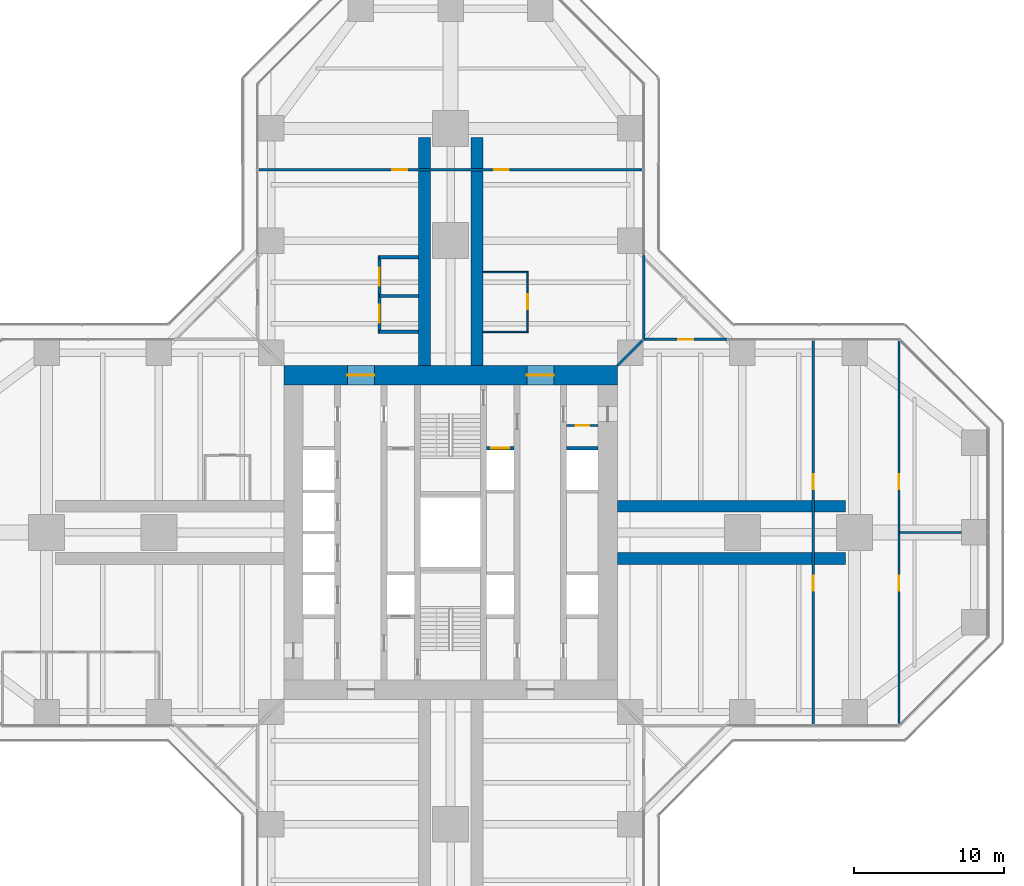
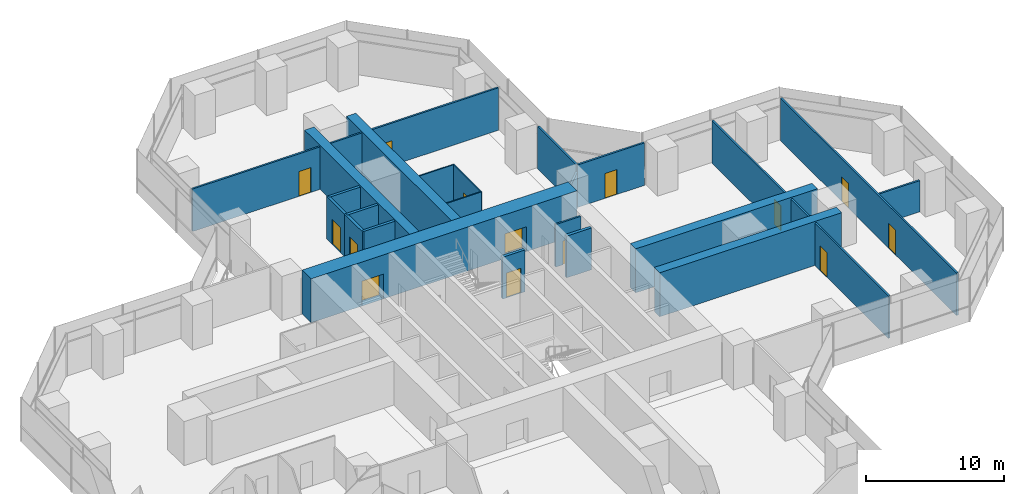
# One storey, part 19 of 22: 23 walls, 14 doors, 14 openings.
"""IFC4 building model written with IfcOpenShell, lengths in metres."""

from ifc_helpers import new_model, si_unit, direction, frame, frame_2d, origin, place, context, subcontext, project, spatial, rectangle, extrude, material, layer, layer_set, type_object, element, fill, save


model = new_model("IFC4")

# Units and contexts
model_context = context("Model", 3, precision=1e-05, world=origin(), true_north=direction((0.0, 1.0)))
body_context = subcontext(model_context, "Body", "Model", "MODEL_VIEW")
ifc_project = project(units=[si_unit("LENGTHUNIT", "METRE"), si_unit("AREAUNIT", "SQUARE_METRE"), si_unit("VOLUMEUNIT", "CUBIC_METRE"), si_unit("PLANEANGLEUNIT", "RADIAN"), si_unit("MASSUNIT", "GRAM", prefix="KILO")], contexts=[model_context])

# Site, building, storey
site_placement = place(None, origin())
site = spatial("IfcSite", under=ifc_project, at=site_placement, CompositionType="ELEMENT")
building_placement = place(site_placement, origin())
building = spatial("IfcBuilding", under=site, at=building_placement, Name="Mizan Broadcast Tower", CompositionType="ELEMENT")
storey_placement = place(building_placement, frame((0.0, 0.0, 66.89990234375)))
storey = spatial("IfcBuildingStorey", under=building, at=storey_placement, Name="L13", CompositionType="ELEMENT", Elevation=66.89990234375)

# Wall, opening, door
ifc_material_1 = material(Name="Concrete blockwork", Category="masonry")
ifc_layer_1 = layer(ifc_material_1, 0.14990234375)
ifc_layer_set_1 = layer_set([ifc_layer_1], Name="Concrete blockwork")
wall_type_1 = type_object("IfcWallType", Name="CORE PARTITION 150", PredefinedType="SOLIDWALL", material=ifc_layer_set_1)
wall_1_placement = place(storey_placement, frame((9.85009765625, 7.14990234375, 0.0), z_axis=(0.0, 0.0, 1.0), x_axis=(-1.0, 0.0, 0.0)))
wall_1 = element("IfcWall", 1, at=wall_1_placement, inside=storey, type_object=wall_type_1, Name="Core partition CORE/XPE", PredefinedType="SOLIDWALL", context=body_context, shape_type="SweptSolid", body=[
    extrude(rectangle(XDim=2.10009765625, YDim=0.14990234375, at=frame_2d((1.050048828125, 0.0))), origin(), (0.0, 0.0, 1.0), 3.77001953125),
])
opening_1_placement = place(wall_1_placement, frame((0.60009765625, 0.0, 0.0)))
opening_1 = element("IfcOpeningElement", 2, at=opening_1_placement, cuts=wall_1, Name="Opening D09F", PredefinedType="OPENING", context=body_context, shape_type="SweptSolid", body=[
    extrude(rectangle(XDim=0.89990234375, YDim=2.10009765625, at=frame_2d((0.449951171875, 1.050048828125))), frame((0.0, 0.0849609375, 0.0), z_axis=(0.0, -1.0, 0.0), x_axis=(1.0, 0.0, 0.0)), (0.0, 0.0, 1.0), 0.169921875),
])
ifc_material_2 = material(Name="Steel door leaf in steel frame", Category="steel")
door_type_1 = type_object("IfcDoorType", Name="CORE ROOM DOOR 900 FD90", OperationType="SINGLE_SWING_LEFT", PredefinedType="DOOR", material=ifc_material_2)
door_1_placement = place(opening_1_placement, origin())
door_1 = element("IfcDoor", 3, at=door_1_placement, inside=storey, type_object=door_type_1, Name="Comms cupboard door", OperationType="SINGLE_SWING_RIGHT", OverallHeight=2.10009765625, OverallWidth=0.89990234375, PredefinedType="DOOR", context=body_context, shape_type="SweptSolid", body=[
    extrude(rectangle(XDim=0.89990234375, YDim=2.10009765625, at=frame_2d((0.449951171875, 1.050048828125))), frame((0.0, 0.02490234375, 0.0), z_axis=(0.0, -1.0, 0.0), x_axis=(1.0, 0.0, 0.0)), (0.0, 0.0, 1.0), 0.050048828125),
])
fill(opening_1, door_1)

# Wall, openings, doors
ifc_material_3 = material(Name="Concrete C70/85", Category="concrete")
ifc_layer_2 = layer(ifc_material_3, 1.300048828125)
ifc_layer_set_2 = layer_set([ifc_layer_2], Name="Concrete C70/85")
wall_type_2 = type_object("IfcWallType", Name="CORE WALL 1300", PredefinedType="SHEAR", material=ifc_layer_set_2)
wall_2_placement = place(storey_placement, frame((-11.14990234375, 10.5, 0.0), z_axis=(0.0, 0.0, 1.0), x_axis=(1.0, 0.0, 0.0)))
wall_2 = element("IfcWall", 4, at=wall_2_placement, inside=storey, type_object=wall_type_2, Name="Core wall N L13", PredefinedType="SHEAR", context=body_context, shape_type="SweptSolid", body=[
    extrude(rectangle(XDim=22.2998046875, YDim=1.300048828125, at=frame_2d((11.14990234375, 0.0))), origin(), (0.0, 0.0, 1.0), 3.900146484375),
])
opening_2_placement = place(wall_2_placement, frame((4.25, 0.0, 0.0)))
opening_2 = element("IfcOpeningElement", 5, at=opening_2_placement, cuts=wall_2, Name="Opening D18F", PredefinedType="OPENING", context=body_context, shape_type="SweptSolid", body=[
    extrude(rectangle(XDim=1.800048828125, YDim=2.199951171875, at=frame_2d((0.89990234375, 1.10009765625))), frame((0.0, 0.659912109375, 0.0), z_axis=(0.0, -1.0, 0.0), x_axis=(1.0, 0.0, 0.0)), (0.0, 0.0, 1.0), 1.320068359375),
])
opening_3_placement = place(wall_2_placement, frame((16.25, 0.0, 0.0)))
opening_3 = element("IfcOpeningElement", 6, at=opening_3_placement, cuts=wall_2, Name="Opening D18F", PredefinedType="OPENING", context=body_context, shape_type="SweptSolid", body=[
    extrude(rectangle(XDim=1.800048828125, YDim=2.199951171875, at=frame_2d((0.89990234375, 1.10009765625))), frame((0.0, 0.659912109375, 0.0), z_axis=(0.0, -1.0, 0.0), x_axis=(1.0, 0.0, 0.0)), (0.0, 0.0, 1.0), 1.320068359375),
])
ifc_material_4 = material(Name="Steel door leaf in steel frame", Category="steel")
door_type_2 = type_object("IfcDoorType", Name="LOBBY DOUBLE DOOR 1800 FD90", OperationType="DOUBLE_DOOR_DOUBLE_SWING", PredefinedType="DOOR", material=ifc_material_4)
door_2_placement = place(opening_2_placement, origin())
door_2 = element("IfcDoor", 7, at=door_2_placement, inside=storey, type_object=door_type_2, Name="West lift lobby north door", OperationType="DOUBLE_DOOR_DOUBLE_SWING", OverallHeight=2.199951171875, OverallWidth=1.800048828125, PredefinedType="DOOR", context=body_context, shape_type="SweptSolid", body=[
    extrude(rectangle(XDim=1.800048828125, YDim=2.199951171875, at=frame_2d((0.89990234375, 1.10009765625))), frame((0.0, 0.02490234375, 0.0), z_axis=(0.0, -1.0, 0.0), x_axis=(1.0, 0.0, 0.0)), (0.0, 0.0, 1.0), 0.050048828125),
])
fill(opening_2, door_2)
door_3_placement = place(opening_3_placement, origin())
door_3 = element("IfcDoor", 8, at=door_3_placement, inside=storey, type_object=door_type_2, Name="East lift lobby north door", OperationType="DOUBLE_DOOR_DOUBLE_SWING", OverallHeight=2.199951171875, OverallWidth=1.800048828125, PredefinedType="DOOR", context=body_context, shape_type="SweptSolid", body=[
    extrude(rectangle(XDim=1.800048828125, YDim=2.199951171875, at=frame_2d((0.89990234375, 1.10009765625))), frame((0.0, 0.02490234375, 0.0), z_axis=(0.0, -1.0, 0.0), x_axis=(1.0, 0.0, 0.0)), (0.0, 0.0, 1.0), 0.050048828125),
])
fill(opening_3, door_3)

# Wall, opening, door
ifc_material_5 = material(Name="Aluminium framed glazed screen", Category="aluminium")
ifc_layer_3 = layer(ifc_material_5, 0.159912109375)
ifc_layer_set_3 = layer_set([ifc_layer_3], Name="Aluminium framed glazed screen")
wall_type_3 = type_object("IfcWallType", Name="GLAZED SCREEN WALL 160", PredefinedType="SOLIDWALL", material=ifc_layer_set_3)
wall_3_placement = place(storey_placement, frame((18.5, 12.89990234375, 0.0), z_axis=(0.0, 0.0, 1.0), x_axis=(-1.0, 0.0, 0.0)))
wall_3 = element("IfcWall", 9, at=wall_3_placement, inside=storey, type_object=wall_type_3, Name="Winter garden screen L13 E", PredefinedType="SOLIDWALL", context=body_context, shape_type="SweptSolid", body=[
    extrude(rectangle(XDim=5.60009765625, YDim=0.159912109375, at=frame_2d((2.800048828125, 0.0))), origin(), (0.0, 0.0, 1.0), 3.77001953125),
])
opening_4_placement = place(wall_3_placement, frame((2.300048828125, 0.0, 0.0)))
opening_4 = element("IfcOpeningElement", 10, at=opening_4_placement, cuts=wall_3, Name="Opening WGD", PredefinedType="OPENING", context=body_context, shape_type="SweptSolid", body=[
    extrude(rectangle(XDim=1.0, YDim=2.199951171875, at=frame_2d((0.5, 1.10009765625))), frame((0.0, 0.08984375, 0.0), z_axis=(0.0, -1.0, 0.0), x_axis=(1.0, 0.0, 0.0)), (0.0, 0.0, 1.0), 0.179931640625),
])
ifc_material_6 = material(Name="Aluminium framed glazed door", Category="aluminium")
door_type_3 = type_object("IfcDoorType", Name="WINTER GARDEN DOOR 1000 GLAZED", OperationType="SINGLE_SWING_LEFT", PredefinedType="DOOR", material=ifc_material_6)
door_4_placement = place(opening_4_placement, origin())
door_4 = element("IfcDoor", 11, at=door_4_placement, inside=storey, type_object=door_type_3, Name="Winter garden door L13 E", OperationType="SINGLE_SWING_RIGHT", OverallHeight=2.199951171875, OverallWidth=1.0, PredefinedType="DOOR", context=body_context, shape_type="SweptSolid", body=[
    extrude(rectangle(XDim=1.0, YDim=2.199951171875, at=frame_2d((0.5, 1.10009765625))), frame((0.0, 0.02490234375, 0.0), z_axis=(0.0, -1.0, 0.0), x_axis=(1.0, 0.0, 0.0)), (0.0, 0.0, 1.0), 0.050048828125),
])
fill(opening_4, door_4)

# Wall
wall_4_placement = place(storey_placement, frame((12.89990234375, 12.89990234375, 0.0), z_axis=(0.0, 0.0, 1.0), x_axis=(0.0, 1.0, 0.0)))
element("IfcWall", 12, at=wall_4_placement, inside=storey, type_object=wall_type_3, Name="Winter garden screen L13 N", PredefinedType="SOLIDWALL", context=body_context, shape_type="SweptSolid", body=[
    extrude(rectangle(XDim=5.60009765625, YDim=0.159912109375, at=frame_2d((2.800048828125, 0.0))), origin(), (0.0, 0.0, 1.0), 3.77001953125),
])

# Wall, opening, door
ifc_material_7 = material(Name="Concrete blockwork", Category="masonry")
ifc_layer_4 = layer(ifc_material_7, 0.25)
ifc_layer_set_4 = layer_set([ifc_layer_4], Name="Concrete blockwork")
wall_type_4 = type_object("IfcWallType", Name="LOBBY ENCLOSURE WALL 250", PredefinedType="SOLIDWALL", material=ifc_layer_set_4)
wall_5_placement = place(storey_placement, frame((2.39990234375, 5.625, 0.0), z_axis=(0.0, 0.0, 1.0), x_axis=(1.0, 0.0, 0.0)))
wall_5 = element("IfcWall", 13, at=wall_5_placement, inside=storey, type_object=wall_type_4, Name="Lobby enclosure wall CORE/BE2N", PredefinedType="SOLIDWALL", context=body_context, shape_type="SweptSolid", body=[
    extrude(rectangle(XDim=1.85009765625, YDim=0.25, at=frame_2d((0.925048828125, 0.0))), origin(), (0.0, 0.0, 1.0), 3.7001953125),
])
opening_5_placement = place(wall_5_placement, frame((0.324951171875, 0.0, 0.0)))
opening_5 = element("IfcOpeningElement", 14, at=opening_5_placement, cuts=wall_5, Name="Opening LDF", PredefinedType="OPENING", context=body_context, shape_type="SweptSolid", body=[
    extrude(rectangle(XDim=1.199951171875, YDim=2.199951171875, at=frame_2d((0.60009765625, 1.10009765625))), frame((0.0, 0.135009765625, 0.0), z_axis=(0.0, -1.0, 0.0), x_axis=(1.0, 0.0, 0.0)), (0.0, 0.0, 1.0), 0.27001953125),
])
ifc_material_8 = material(Name="Steel door leaf in steel frame", Category="steel")
door_type_4 = type_object("IfcDoorType", Name="FIREFIGHTING LIFT LANDING DOOR 1200", OperationType="SLIDING_TO_LEFT", PredefinedType="DOOR", material=ifc_material_8)
door_5_placement = place(opening_5_placement, origin())
door_5 = element("IfcDoor", 15, at=door_5_placement, inside=storey, type_object=door_type_4, Name="Landing door FF2", OperationType="SLIDING_TO_LEFT", OverallHeight=2.199951171875, OverallWidth=1.199951171875, PredefinedType="DOOR", context=body_context, shape_type="SweptSolid", body=[
    extrude(rectangle(XDim=1.199951171875, YDim=2.199951171875, at=frame_2d((0.60009765625, 1.10009765625))), frame((0.0, 0.02490234375, 0.0), z_axis=(0.0, -1.0, 0.0), x_axis=(1.0, 0.0, 0.0)), (0.0, 0.0, 1.0), 0.050048828125),
])
fill(opening_5, door_5)

# Wall
wall_6_placement = place(storey_placement, frame((7.75, 5.625, 0.0), z_axis=(0.0, 0.0, 1.0), x_axis=(1.0, 0.0, 0.0)))
element("IfcWall", 16, at=wall_6_placement, inside=storey, type_object=wall_type_4, Name="Lobby enclosure wall CORE/BE1N", PredefinedType="SOLIDWALL", context=body_context, shape_type="SweptSolid", body=[
    extrude(rectangle(XDim=2.10009765625, YDim=0.25, at=frame_2d((1.050048828125, 0.0))), origin(), (0.0, 0.0, 1.0), 3.7001953125),
])

# Wall, openings, doors
ifc_material_9 = material(Name="Gypsum board on steel studs", Category="steel")
ifc_layer_5 = layer(ifc_material_9, 0.14990234375)
ifc_layer_set_5 = layer_set([ifc_layer_5], Name="Gypsum board on steel studs")
wall_type_5 = type_object("IfcWallType", Name="PARTITION 150", PredefinedType="PARTITIONING", material=ifc_layer_set_5)
wall_7_placement = place(storey_placement, frame((24.22900390625, -12.820068359375, 0.0), z_axis=(0.0, 0.0, 1.0), x_axis=(0.0, 1.0, 0.0)))
wall_7 = element("IfcWall", 17, at=wall_7_placement, inside=storey, type_object=wall_type_5, Name="Partition PT/EX1", PredefinedType="PARTITIONING", context=body_context, shape_type="SweptSolid", body=[
    extrude(rectangle(XDim=25.64013671875, YDim=0.14990234375, at=frame_2d((12.820068359375, 0.0))), origin(), (0.0, 0.0, 1.0), 3.77001953125),
])
opening_6_placement = place(wall_7_placement, frame((15.719970703125, 0.0, 0.0)))
opening_6 = element("IfcOpeningElement", 18, at=opening_6_placement, cuts=wall_7, Name="Opening D10", PredefinedType="OPENING", context=body_context, shape_type="SweptSolid", body=[
    extrude(rectangle(XDim=1.0, YDim=2.199951171875, at=frame_2d((0.5, 1.10009765625))), frame((0.0, 0.0849609375, 0.0), z_axis=(0.0, -1.0, 0.0), x_axis=(1.0, 0.0, 0.0)), (0.0, 0.0, 1.0), 0.169921875),
])
opening_7_placement = place(wall_7_placement, frame((8.919921875, 0.0, 0.0)))
opening_7 = element("IfcOpeningElement", 19, at=opening_7_placement, cuts=wall_7, Name="Opening D10", PredefinedType="OPENING", context=body_context, shape_type="SweptSolid", body=[
    extrude(rectangle(XDim=1.0, YDim=2.199951171875, at=frame_2d((0.5, 1.10009765625))), frame((0.0, 0.0849609375, 0.0), z_axis=(0.0, -1.0, 0.0), x_axis=(1.0, 0.0, 0.0)), (0.0, 0.0, 1.0), 0.169921875),
])
ifc_material_10 = material(Name="Timber door leaf in aluminium frame", Category="wood")
door_type_5 = type_object("IfcDoorType", Name="ROOM DOOR 1000", OperationType="SINGLE_SWING_LEFT", PredefinedType="DOOR", material=ifc_material_10)
door_6_placement = place(opening_6_placement, origin())
door_6 = element("IfcDoor", 20, at=door_6_placement, inside=storey, type_object=door_type_5, Name="Open office door", OperationType="SINGLE_SWING_RIGHT", OverallHeight=2.199951171875, OverallWidth=1.0, PredefinedType="DOOR", context=body_context, shape_type="SweptSolid", body=[
    extrude(rectangle(XDim=1.0, YDim=2.199951171875, at=frame_2d((0.5, 1.10009765625))), frame((0.0, 0.02490234375, 0.0), z_axis=(0.0, -1.0, 0.0), x_axis=(1.0, 0.0, 0.0)), (0.0, 0.0, 1.0), 0.050048828125),
])
fill(opening_6, door_6)
door_7_placement = place(opening_7_placement, origin())
door_7 = element("IfcDoor", 21, at=door_7_placement, inside=storey, type_object=door_type_5, Name="Open office door", OperationType="SINGLE_SWING_LEFT", OverallHeight=2.199951171875, OverallWidth=1.0, PredefinedType="DOOR", context=body_context, shape_type="SweptSolid", body=[
    extrude(rectangle(XDim=1.0, YDim=2.199951171875, at=frame_2d((0.5, 1.10009765625))), frame((0.0, 0.02490234375, 0.0), z_axis=(0.0, -1.0, 0.0), x_axis=(1.0, 0.0, 0.0)), (0.0, 0.0, 1.0), 0.050048828125),
])
fill(opening_7, door_7)

wall_8_placement = place(storey_placement, frame((29.958984375, -12.786376953125, 0.0), z_axis=(0.0, 0.0, 1.0), x_axis=(0.0, 1.0, 0.0)))
wall_8 = element("IfcWall", 22, at=wall_8_placement, inside=storey, type_object=wall_type_5, Name="Partition PT/EX2", PredefinedType="PARTITIONING", context=body_context, shape_type="SweptSolid", body=[
    extrude(rectangle(XDim=25.57275390625, YDim=0.14990234375, at=frame_2d((12.786376953125, 0.0))), origin(), (0.0, 0.0, 1.0), 3.77001953125),
])
opening_8_placement = place(wall_8_placement, frame((15.6865234375, 0.0, 0.0)))
opening_8 = element("IfcOpeningElement", 23, at=opening_8_placement, cuts=wall_8, Name="Opening D10", PredefinedType="OPENING", context=body_context, shape_type="SweptSolid", body=[
    extrude(rectangle(XDim=1.0, YDim=2.199951171875, at=frame_2d((0.5, 1.10009765625))), frame((0.0, 0.0849609375, 0.0), z_axis=(0.0, -1.0, 0.0), x_axis=(1.0, 0.0, 0.0)), (0.0, 0.0, 1.0), 0.169921875),
])
opening_9_placement = place(wall_8_placement, frame((8.886474609375, 0.0, 0.0)))
opening_9 = element("IfcOpeningElement", 24, at=opening_9_placement, cuts=wall_8, Name="Opening D10", PredefinedType="OPENING", context=body_context, shape_type="SweptSolid", body=[
    extrude(rectangle(XDim=1.0, YDim=2.199951171875, at=frame_2d((0.5, 1.10009765625))), frame((0.0, 0.0849609375, 0.0), z_axis=(0.0, -1.0, 0.0), x_axis=(1.0, 0.0, 0.0)), (0.0, 0.0, 1.0), 0.169921875),
])
door_8_placement = place(opening_8_placement, origin())
door_8 = element("IfcDoor", 25, at=door_8_placement, inside=storey, type_object=door_type_5, Name="Open office door", OperationType="SINGLE_SWING_RIGHT", OverallHeight=2.199951171875, OverallWidth=1.0, PredefinedType="DOOR", context=body_context, shape_type="SweptSolid", body=[
    extrude(rectangle(XDim=1.0, YDim=2.199951171875, at=frame_2d((0.5, 1.10009765625))), frame((0.0, 0.02490234375, 0.0), z_axis=(0.0, -1.0, 0.0), x_axis=(1.0, 0.0, 0.0)), (0.0, 0.0, 1.0), 0.050048828125),
])
fill(opening_8, door_8)
door_9_placement = place(opening_9_placement, origin())
door_9 = element("IfcDoor", 26, at=door_9_placement, inside=storey, type_object=door_type_5, Name="Open office door", OperationType="SINGLE_SWING_LEFT", OverallHeight=2.199951171875, OverallWidth=1.0, PredefinedType="DOOR", context=body_context, shape_type="SweptSolid", body=[
    extrude(rectangle(XDim=1.0, YDim=2.199951171875, at=frame_2d((0.5, 1.10009765625))), frame((0.0, 0.02490234375, 0.0), z_axis=(0.0, -1.0, 0.0), x_axis=(1.0, 0.0, 0.0)), (0.0, 0.0, 1.0), 0.050048828125),
])
fill(opening_9, door_9)

# Wall
wall_9_placement = place(storey_placement, frame((29.958984375, 0.0, 0.0), z_axis=(0.0, 0.0, 1.0), x_axis=(1.0, 0.0, 0.0)))
element("IfcWall", 27, at=wall_9_placement, inside=storey, type_object=wall_type_5, Name="Partition PT/EES", PredefinedType="PARTITIONING", context=body_context, shape_type="SweptSolid", body=[
    extrude(rectangle(XDim=4.19091796875, YDim=0.14990234375, at=frame_2d((2.095458984375, 0.0))), origin(), (0.0, 0.0, 1.0), 2.77001953125),
])

# Wall, openings, doors
wall_10_placement = place(storey_placement, frame((12.820068359375, 24.22900390625, 0.0), z_axis=(0.0, 0.0, 1.0), x_axis=(-1.0, 0.0, 0.0)))
wall_10 = element("IfcWall", 28, at=wall_10_placement, inside=storey, type_object=wall_type_5, Name="Partition PT/NX1", PredefinedType="PARTITIONING", context=body_context, shape_type="SweptSolid", body=[
    extrude(rectangle(XDim=25.64013671875, YDim=0.14990234375, at=frame_2d((12.820068359375, 0.0))), origin(), (0.0, 0.0, 1.0), 3.77001953125),
])
opening_10_placement = place(wall_10_placement, frame((15.719970703125, 0.0, 0.0)))
opening_10 = element("IfcOpeningElement", 29, at=opening_10_placement, cuts=wall_10, Name="Opening D10", PredefinedType="OPENING", context=body_context, shape_type="SweptSolid", body=[
    extrude(rectangle(XDim=1.0, YDim=2.199951171875, at=frame_2d((0.5, 1.10009765625))), frame((0.0, 0.0849609375, 0.0), z_axis=(0.0, -1.0, 0.0), x_axis=(1.0, 0.0, 0.0)), (0.0, 0.0, 1.0), 0.169921875),
])
opening_11_placement = place(wall_10_placement, frame((8.919921875, 0.0, 0.0)))
opening_11 = element("IfcOpeningElement", 30, at=opening_11_placement, cuts=wall_10, Name="Opening D10", PredefinedType="OPENING", context=body_context, shape_type="SweptSolid", body=[
    extrude(rectangle(XDim=1.0, YDim=2.199951171875, at=frame_2d((0.5, 1.10009765625))), frame((0.0, 0.0849609375, 0.0), z_axis=(0.0, -1.0, 0.0), x_axis=(1.0, 0.0, 0.0)), (0.0, 0.0, 1.0), 0.169921875),
])
door_10_placement = place(opening_10_placement, origin())
door_10 = element("IfcDoor", 31, at=door_10_placement, inside=storey, type_object=door_type_5, Name="Collaboration area door", OperationType="SINGLE_SWING_RIGHT", OverallHeight=2.199951171875, OverallWidth=1.0, PredefinedType="DOOR", context=body_context, shape_type="SweptSolid", body=[
    extrude(rectangle(XDim=1.0, YDim=2.199951171875, at=frame_2d((0.5, 1.10009765625))), frame((0.0, 0.02490234375, 0.0), z_axis=(0.0, -1.0, 0.0), x_axis=(1.0, 0.0, 0.0)), (0.0, 0.0, 1.0), 0.050048828125),
])
fill(opening_10, door_10)
door_11_placement = place(opening_11_placement, origin())
door_11 = element("IfcDoor", 32, at=door_11_placement, inside=storey, type_object=door_type_5, Name="Collaboration area door", OperationType="SINGLE_SWING_LEFT", OverallHeight=2.199951171875, OverallWidth=1.0, PredefinedType="DOOR", context=body_context, shape_type="SweptSolid", body=[
    extrude(rectangle(XDim=1.0, YDim=2.199951171875, at=frame_2d((0.5, 1.10009765625))), frame((0.0, 0.02490234375, 0.0), z_axis=(0.0, -1.0, 0.0), x_axis=(1.0, 0.0, 0.0)), (0.0, 0.0, 1.0), 0.050048828125),
])
fill(opening_11, door_11)

# Walls
wall_11_placement = place(storey_placement, frame((11.14990234375, 11.14990234375, 0.0), z_axis=(0.0, 0.0, 1.0), x_axis=(0.707106781187, 0.707106781187, 0.0)))
element("IfcWall", 33, at=wall_11_placement, inside=storey, type_object=wall_type_5, Name="Partition PT/DGEN", PredefinedType="PARTITIONING", context=body_context, shape_type="SweptSolid", body=[
    extrude(rectangle(XDim=2.362060546875, YDim=0.14990234375, at=frame_2d((1.18115234375, 0.0))), origin(), (0.0, 0.0, 1.0), 3.22021484375),
])
ifc_material_11 = material(Name="Twin steel stud acoustic partition, four layers of gypsum board", Category="steel")
ifc_layer_6 = layer(ifc_material_11, 0.22509765625)
ifc_layer_set_6 = layer_set([ifc_layer_6], Name="Twin steel stud acoustic partition, four layers of gypsum board")
wall_type_6 = type_object("IfcWallType", Name="PARTITION ACOUSTIC 225", PredefinedType="PARTITIONING", material=ifc_layer_set_6)
for number, where, z_axis, x_axis, name in (
    (34, (-2.14990234375, 13.39990234375, 0.0), (0.0, 0.0, 1.0), (-1.0, 0.0, 0.0), "Acoustic partition PT/NKP0a"),
    (35, (-2.14990234375, 15.800048828125, 0.0), (0.0, 0.0, 1.0), (-1.0, 0.0, 0.0), "Acoustic partition PT/NKP0b"),
):
    element("IfcWall", number, at=place(storey_placement, frame(where, z_axis=z_axis, x_axis=x_axis)), inside=storey, type_object=wall_type_6, Name=name, PredefinedType="PARTITIONING", context=body_context, shape_type="SweptSolid", body=[
        extrude(rectangle(XDim=2.60009765625, YDim=0.22509765625, at=frame_2d((1.300048828125, 0.0))), origin(), (0.0, 0.0, 1.0), 3.77001953125),
    ])

# Wall, opening, door
wall_12_placement = place(storey_placement, frame((-4.75, 13.28759765625, 0.0), z_axis=(0.0, 0.0, 1.0), x_axis=(0.0, 1.0, 0.0)))
wall_12 = element("IfcWall", 36, at=wall_12_placement, inside=storey, type_object=wall_type_6, Name="Acoustic partition PT/NKP0f", PredefinedType="PARTITIONING", context=body_context, shape_type="SweptSolid", body=[
    extrude(rectangle(XDim=2.625, YDim=0.22509765625, at=frame_2d((1.3125, 0.0))), origin(), (0.0, 0.0, 1.0), 3.77001953125),
])
opening_12_placement = place(wall_12_placement, frame((0.71240234375, 0.0, 0.0)))
opening_12 = element("IfcOpeningElement", 37, at=opening_12_placement, cuts=wall_12, Name="Opening D12A", PredefinedType="OPENING", context=body_context, shape_type="SweptSolid", body=[
    extrude(rectangle(XDim=1.199951171875, YDim=2.199951171875, at=frame_2d((0.60009765625, 1.10009765625))), frame((0.0, 0.12255859375, 0.0), z_axis=(0.0, -1.0, 0.0), x_axis=(1.0, 0.0, 0.0)), (0.0, 0.0, 1.0), 0.2451171875),
])
ifc_material_12 = material(Name="Timber door leaf in aluminium frame", Category="wood")
door_type_6 = type_object("IfcDoorType", Name="ACOUSTIC DOOR 1200", OperationType="SINGLE_SWING_LEFT", PredefinedType="DOOR", material=ifc_material_12)
door_12_placement = place(opening_12_placement, origin())
door_12 = element("IfcDoor", 38, at=door_12_placement, inside=storey, type_object=door_type_6, Name="Podcast booth door", OperationType="SINGLE_SWING_LEFT", OverallHeight=2.199951171875, OverallWidth=1.199951171875, PredefinedType="DOOR", context=body_context, shape_type="SweptSolid", body=[
    extrude(rectangle(XDim=1.199951171875, YDim=2.199951171875, at=frame_2d((0.60009765625, 1.10009765625))), frame((0.0, 0.02490234375, 0.0), z_axis=(0.0, -1.0, 0.0), x_axis=(1.0, 0.0, 0.0)), (0.0, 0.0, 1.0), 0.050048828125),
])
fill(opening_12, door_12)

# Wall
wall_13_placement = place(storey_placement, frame((-2.14990234375, 18.39990234375, 0.0), z_axis=(0.0, 0.0, 1.0), x_axis=(-1.0, 0.0, 0.0)))
element("IfcWall", 39, at=wall_13_placement, inside=storey, type_object=wall_type_6, Name="Acoustic partition PT/NKP1b", PredefinedType="PARTITIONING", context=body_context, shape_type="SweptSolid", body=[
    extrude(rectangle(XDim=2.60009765625, YDim=0.22509765625, at=frame_2d((1.300048828125, 0.0))), origin(), (0.0, 0.0, 1.0), 3.77001953125),
])

# Wall, opening, door
wall_14_placement = place(storey_placement, frame((-4.75, 15.91259765625, 0.0), z_axis=(0.0, 0.0, 1.0), x_axis=(0.0, 1.0, 0.0)))
wall_14 = element("IfcWall", 40, at=wall_14_placement, inside=storey, type_object=wall_type_6, Name="Acoustic partition PT/NKP1f", PredefinedType="PARTITIONING", context=body_context, shape_type="SweptSolid", body=[
    extrude(rectangle(XDim=2.599853515625, YDim=0.22509765625, at=frame_2d((1.2998046875, 0.0))), origin(), (0.0, 0.0, 1.0), 3.77001953125),
])
opening_13_placement = place(wall_14_placement, frame((0.58740234375, 0.0, 0.0)))
opening_13 = element("IfcOpeningElement", 41, at=opening_13_placement, cuts=wall_14, Name="Opening D12A", PredefinedType="OPENING", context=body_context, shape_type="SweptSolid", body=[
    extrude(rectangle(XDim=1.199951171875, YDim=2.199951171875, at=frame_2d((0.60009765625, 1.10009765625))), frame((0.0, 0.12255859375, 0.0), z_axis=(0.0, -1.0, 0.0), x_axis=(1.0, 0.0, 0.0)), (0.0, 0.0, 1.0), 0.2451171875),
])
door_13_placement = place(opening_13_placement, origin())
door_13 = element("IfcDoor", 42, at=door_13_placement, inside=storey, type_object=door_type_6, Name="Podcast booth door", OperationType="SINGLE_SWING_LEFT", OverallHeight=2.199951171875, OverallWidth=1.199951171875, PredefinedType="DOOR", context=body_context, shape_type="SweptSolid", body=[
    extrude(rectangle(XDim=1.199951171875, YDim=2.199951171875, at=frame_2d((0.60009765625, 1.10009765625))), frame((0.0, 0.02490234375, 0.0), z_axis=(0.0, -1.0, 0.0), x_axis=(1.0, 0.0, 0.0)), (0.0, 0.0, 1.0), 0.050048828125),
])
fill(opening_13, door_13)

# Walls
ifc_material_13 = material(Name="Glazed aluminium partition on aluminium track", Category="aluminium")
ifc_layer_7 = layer(ifc_material_13, 0.10009765625)
ifc_layer_set_7 = layer_set([ifc_layer_7], Name="Glazed aluminium partition on aluminium track")
wall_type_7 = type_object("IfcWallType", Name="PARTITION GLAZED OFFICE FRONT 100", PredefinedType="PARTITIONING", material=ifc_layer_set_7)
for number, where, z_axis, x_axis, name in (
    (43, (2.14990234375, 13.39990234375, 0.0), (0.0, 0.0, 1.0), (1.0, 0.0, 0.0), "Glazed office front PT/NKN0a"),
    (44, (2.14990234375, 17.39990234375, 0.0), (0.0, 0.0, 1.0), (1.0, 0.0, 0.0), "Glazed office front PT/NKN0b"),
):
    element("IfcWall", number, at=place(storey_placement, frame(where, z_axis=z_axis, x_axis=x_axis)), inside=storey, type_object=wall_type_7, Name=name, PredefinedType="PARTITIONING", context=body_context, shape_type="SweptSolid", body=[
        extrude(rectangle(XDim=3.0, YDim=0.10009765625, at=frame_2d((1.5, 0.0))), origin(), (0.0, 0.0, 1.0), 3.77001953125),
    ])

# Wall, opening, door
wall_15_placement = place(storey_placement, frame((5.14990234375, 13.35009765625, 0.0), z_axis=(0.0, 0.0, 1.0), x_axis=(0.0, 1.0, 0.0)))
wall_15 = element("IfcWall", 45, at=wall_15_placement, inside=storey, type_object=wall_type_7, Name="Glazed office front PT/NKN0f", PredefinedType="PARTITIONING", context=body_context, shape_type="SweptSolid", body=[
    extrude(rectangle(XDim=4.099853515625, YDim=0.10009765625, at=frame_2d((2.0498046875, 0.0))), origin(), (0.0, 0.0, 1.0), 3.77001953125),
])
opening_14_placement = place(wall_15_placement, frame((1.550048828125, 0.0, 0.0)))
opening_14 = element("IfcOpeningElement", 46, at=opening_14_placement, cuts=wall_15, Name="Opening D10O", PredefinedType="OPENING", context=body_context, shape_type="SweptSolid", body=[
    extrude(rectangle(XDim=1.0, YDim=2.199951171875, at=frame_2d((0.5, 1.10009765625))), frame((0.0, 0.06005859375, 0.0), z_axis=(0.0, -1.0, 0.0), x_axis=(1.0, 0.0, 0.0)), (0.0, 0.0, 1.0), 0.1201171875),
])
ifc_material_14 = material(Name="Timber door leaf in aluminium frame", Category="wood")
door_type_7 = type_object("IfcDoorType", Name="OFFICE DOOR 1000 GLAZED", OperationType="SINGLE_SWING_LEFT", PredefinedType="DOOR", material=ifc_material_14)
door_14_placement = place(opening_14_placement, origin())
door_14 = element("IfcDoor", 47, at=door_14_placement, inside=storey, type_object=door_type_7, Name="Social media hub door", OperationType="SINGLE_SWING_LEFT", OverallHeight=2.199951171875, OverallWidth=1.0, PredefinedType="DOOR", context=body_context, shape_type="SweptSolid", body=[
    extrude(rectangle(XDim=1.0, YDim=2.199951171875, at=frame_2d((0.5, 1.10009765625))), frame((0.0, 0.02490234375, 0.0), z_axis=(0.0, -1.0, 0.0), x_axis=(1.0, 0.0, 0.0)), (0.0, 0.0, 1.0), 0.050048828125),
])
fill(opening_14, door_14)

# Walls
ifc_material_15 = material(Name="Concrete C70/85", Category="concrete")
ifc_layer_8 = layer(ifc_material_15, 0.800048828125)
ifc_layer_set_8 = layer_set([ifc_layer_8], Name="Concrete C70/85")
wall_type_8 = type_object("IfcWallType", Name="SPINE WALL 800", PredefinedType="SHEAR", material=ifc_layer_set_8)
for number, where, z_axis, x_axis, name in (
    (48, (11.14990234375, -1.75, 0.0), (0.0, 0.0, 1.0), (1.0, 0.0, 0.0), "Spine wall ER L13"),
    (49, (11.14990234375, 1.75, 0.0), (0.0, 0.0, 1.0), (1.0, 0.0, 0.0), "Spine wall EL L13"),
    (50, (1.75, 11.14990234375, 0.0), (0.0, 0.0, 1.0), (0.0, 1.0, 0.0), "Spine wall NR L13"),
    (51, (-1.75, 11.14990234375, 0.0), (0.0, 0.0, 1.0), (0.0, 1.0, 0.0), "Spine wall NL L13"),
):
    element("IfcWall", number, at=place(storey_placement, frame(where, z_axis=z_axis, x_axis=x_axis)), inside=storey, type_object=wall_type_8, Name=name, PredefinedType="SHEAR", context=body_context, shape_type="SweptSolid", body=[
        extrude(rectangle(XDim=15.25, YDim=0.800048828125, at=frame_2d((7.625, 0.0))), origin(), (0.0, 0.0, 1.0), 3.900146484375),
    ])

save(model, "model.ifc")
